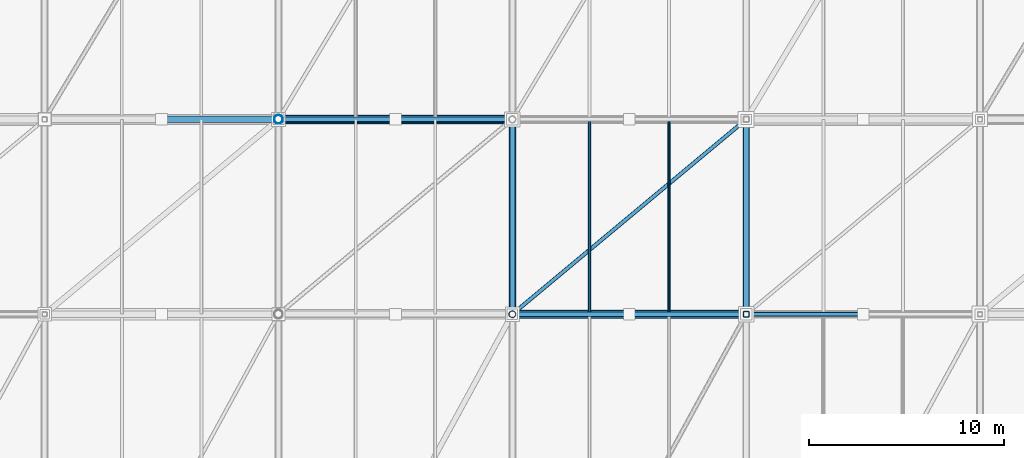
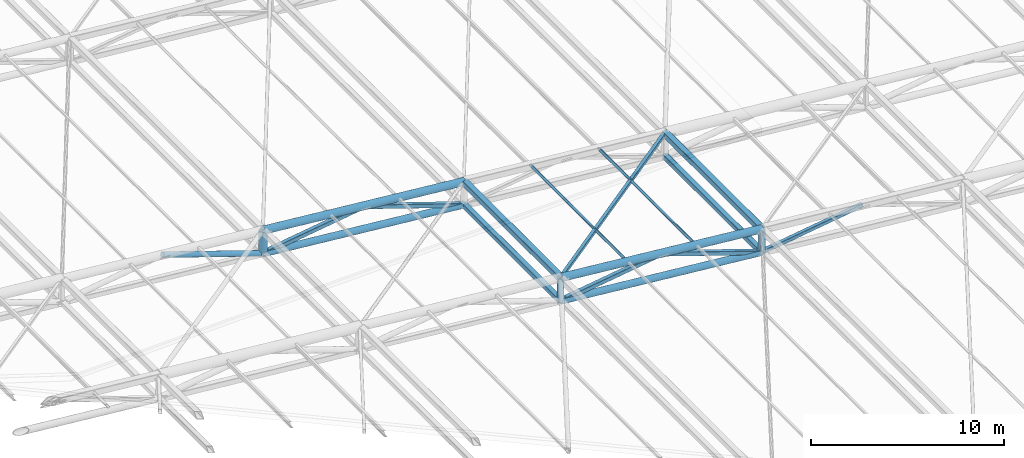
# One storey, part 15 of 44: 20 members.
"""IFC4 building model written with IfcOpenShell, lengths in metres."""

import ifcopenshell
import ifcopenshell.guid

model = None  # the IFC model being written
_history = None  # IfcOwnerHistory: only IFC2X3 demands one
_inside = {}  # id of a spatial element -> (the spatial element, [elements in it])
_under = {}  # id of a project, library or spatial element -> (it, [spatial elements below it])
_declared = {}  # id of a project -> (the project, [libraries it declares])
_typed = {}  # id of a type object -> (the type object, [elements of that type])
_made_of = {}  # id of a material, layer set ... -> (it, [elements and type objects made of it])


def new_model(schema):
    """Start an empty IFC model of exactly this schema.

    Asked for "IFC4X3", IfcOpenShell would pick the latest addendum, in which some entities
    have other attributes; the version numbers below select the first issue.
    IFC2X3 requires an IfcOwnerHistory on every rooted entity: one is made here for all.
    """
    global model, _history
    if schema == "IFC4X3":
        model = ifcopenshell.file(schema_version=(4, 3, 0, 0))
    else:
        model = ifcopenshell.file(schema=schema)
    _inside.clear()
    _under.clear()
    _declared.clear()
    _typed.clear()
    _made_of.clear()
    _history = None
    if model.schema == "IFC2X3":
        org = make("IfcOrganization", Name="unknown")
        user = make(
            "IfcPersonAndOrganization",
            ThePerson=make("IfcPerson", FamilyName="unknown"),
            TheOrganization=org,
        )
        app = make(
            "IfcApplication",
            ApplicationDeveloper=org,
            Version="unknown",
            ApplicationFullName="unknown",
            ApplicationIdentifier="unknown",
        )
        _history = make(
            "IfcOwnerHistory",
            OwningUser=user,
            OwningApplication=app,
            ChangeAction="ADDED",
            CreationDate=0,
        )
    return model


def make(cls, **values):
    """One entity of the class cls with the attributes given. An attribute that is None is left unset."""
    return model.create_entity(
        cls, **{name: value for name, value in values.items() if value is not None}
    )


def rooted(cls, **values):
    """An entity with a GlobalId (a new one), such as an element, a storey or a relation."""
    return make(cls, GlobalId=ifcopenshell.guid.new(), OwnerHistory=_history, **values)


def si_unit(unit_type, name, prefix=None):
    """IfcSIUnit, for example si_unit("LENGTHUNIT", "METRE", prefix="MILLI")."""
    return make("IfcSIUnit", UnitType=unit_type, Prefix=prefix, Name=name)


def assignment(units):
    """IfcUnitAssignment: the units of a project."""
    return None if units is None else make("IfcUnitAssignment", Units=units)


def point(xyz):
    """IfcCartesianPoint."""
    return None if xyz is None else make("IfcCartesianPoint", Coordinates=xyz)


def direction(xyz):
    """IfcDirection."""
    return None if xyz is None else make("IfcDirection", DirectionRatios=xyz)


def frame(location, z_axis=None, x_axis=None):
    """IfcAxis2Placement3D, a coordinate frame: its origin and axes. An axis left out is left unset."""
    return make(
        "IfcAxis2Placement3D",
        Location=point(location),
        Axis=direction(z_axis),
        RefDirection=direction(x_axis),
    )


def frame_2d(location, x_axis=None):
    """IfcAxis2Placement2D, a coordinate frame in the plane: its origin and x axis."""
    return make(
        "IfcAxis2Placement2D", Location=point(location), RefDirection=direction(x_axis)
    )


def origin():
    """The frame at (0, 0, 0) with its axes left unset."""
    return frame((0.0, 0.0, 0.0))


def origin_2d():
    """The frame at (0, 0) in the plane with its x axis left unset."""
    return frame_2d((0.0, 0.0))


def place(relative_to, where):
    """IfcLocalPlacement: puts the frame where relative to a parent placement (None: the world)."""
    return make(
        "IfcLocalPlacement", PlacementRelTo=relative_to, RelativePlacement=where
    )


def context(
    kind, dimensions, precision=None, world=None, true_north=None, identifier=None
):
    """IfcGeometricRepresentationContext, for example the 3D "Model" context."""
    return make(
        "IfcGeometricRepresentationContext",
        ContextIdentifier=identifier,
        ContextType=kind,
        CoordinateSpaceDimension=dimensions,
        Precision=precision,
        WorldCoordinateSystem=world,
        TrueNorth=true_north,
    )


def subcontext(parent, identifier, kind, view, scale=None):
    """IfcGeometricRepresentationSubContext, for example "Body" below "Model"."""
    return make(
        "IfcGeometricRepresentationSubContext",
        ContextIdentifier=identifier,
        ContextType=kind,
        ParentContext=parent,
        TargetScale=scale,
        TargetView=view,
    )


def project(units=None, contexts=None):
    """IfcProject with its units and contexts."""
    return rooted(
        "IfcProject",
        Name="project",
        RepresentationContexts=contexts,
        UnitsInContext=assignment(units),
    )


def spatial(cls, under=None, at=None, **own):
    """A site, building, storey or space (cls), placed at a placement, below another one or the project."""
    s = rooted(cls, ObjectPlacement=at, **own)
    if under is not None:
        _under.setdefault(under.id(), (under, []))[1].append(s)
    return s


def profile(cls, at=None, kind="AREA", **sizes):
    """A parametric profile (cls). Its sizes go by their IFC names, for example OverallWidth=200.0."""
    return make(cls, ProfileType=kind, Position=at, **sizes)


def hollow_rectangle(**sizes):
    """IfcRectangleHollowProfileDef."""
    return profile("IfcRectangleHollowProfileDef", **sizes)


def hollow_circle(**sizes):
    """IfcCircleHollowProfileDef."""
    return profile("IfcCircleHollowProfileDef", **sizes)


def extrude(swept, where, along, depth):
    """IfcExtrudedAreaSolid: the profile swept, set in the frame where, extruded along a direction by depth."""
    return make(
        "IfcExtrudedAreaSolid",
        SweptArea=swept,
        Position=where,
        ExtrudedDirection=direction(along),
        Depth=depth,
    )


def shape(context_of_items, identifier, shape_type, items):
    """IfcShapeRepresentation: the items that make up one representation, for example the "Body"."""
    return make(
        "IfcShapeRepresentation",
        ContextOfItems=context_of_items,
        RepresentationIdentifier=identifier,
        RepresentationType=shape_type,
        Items=items,
    )


def material(Name=None, Category=None):
    """IfcMaterial."""
    return make("IfcMaterial", Name=Name, Category=Category)


def material_profile(
    of_material, cross_section, Name=None, Category=None, Priority=None
):
    """IfcMaterialProfile: a cross section and its material."""
    return make(
        "IfcMaterialProfile",
        Name=Name,
        Material=of_material,
        Profile=cross_section,
        Priority=Priority,
        Category=Category,
    )


def profile_set(profiles, Name=None, composite=None):
    """IfcMaterialProfileSet."""
    return make(
        "IfcMaterialProfileSet",
        Name=Name,
        MaterialProfiles=profiles,
        CompositeProfile=composite,
    )


def made_of(thing, what):
    """Note that an element or type object is made of a material, layer set ...; save() writes the relation."""
    if what is not None:
        _made_of.setdefault(what.id(), (what, []))[1].append(thing)
    return thing


def type_object(cls, material=None, **own):
    """A type object (cls), such as IfcWallType, which elements share."""
    return made_of(rooted(cls, **own), material)


def element(
    cls,
    number,
    at=None,
    inside=None,
    cuts=None,
    type_object=None,
    material=None,
    context=None,
    identifier="Body",
    shape_type=None,
    held_by="IfcProductDefinitionShape",
    body=None,
    shapes=None,
    **own,
):
    """One element of the class cls, such as IfcWall. Its Tag is "e" and its number.

    at: its placement. inside: the storey or other place that contains it. cuts: it is an
    opening in that element (IfcRelVoidsElement). A single representation is given by context,
    identifier, shape_type and body (its items); several are given by shapes. held_by: the class
    of the entity that holds the representations. save() writes the other relations.
    """
    e = rooted(cls, Tag="e%d" % number, ObjectPlacement=at, **own)
    if body is not None:
        shapes = [shape(context, identifier, shape_type, body)]
    if shapes is not None:
        e.Representation = make(held_by, Representations=shapes)
    if inside is not None:
        _inside.setdefault(inside.id(), (inside, []))[1].append(e)
    if cuts is not None:
        rooted(
            "IfcRelVoidsElement", RelatingBuildingElement=cuts, RelatedOpeningElement=e
        )
    if type_object is not None:
        _typed.setdefault(type_object.id(), (type_object, []))[1].append(e)
    return made_of(e, material)


def aggregate(whole, parts):
    """IfcRelAggregates: a whole, such as a stair, and the parts it consists of."""
    return rooted("IfcRelAggregates", RelatingObject=whole, RelatedObjects=parts)


def save(model, path):
    """Write the relations noted so far, then the file.

    IfcRelAggregates (storeys below a building ...), IfcRelContainedInSpatialStructure (elements
    in a storey), IfcRelDefinesByType, IfcRelAssociatesMaterial and IfcRelDeclares: one each for
    every whole, place, type object, material and project.
    """
    for whole, parts in _under.values():
        aggregate(whole, parts)
    for where, things in _inside.values():
        rooted(
            "IfcRelContainedInSpatialStructure",
            RelatedElements=things,
            RelatingStructure=where,
        )
    for kind, things in _typed.values():
        rooted("IfcRelDefinesByType", RelatedObjects=things, RelatingType=kind)
    for what, things in _made_of.values():
        rooted("IfcRelAssociatesMaterial", RelatedObjects=things, RelatingMaterial=what)
    for by, libraries in _declared.values():
        rooted("IfcRelDeclares", RelatingContext=by, RelatedDefinitions=libraries)
    model.write(path)


model = new_model("IFC4")

# Units and contexts
model_context = context("Model", 3, precision=1e-05, world=origin(), true_north=direction((0.0, 1.0)))
body_context = subcontext(model_context, "Body", "Model", "MODEL_VIEW")
ifc_project = project(units=[si_unit("LENGTHUNIT", "METRE"), si_unit("AREAUNIT", "SQUARE_METRE"), si_unit("VOLUMEUNIT", "CUBIC_METRE"), si_unit("PLANEANGLEUNIT", "RADIAN"), si_unit("MASSUNIT", "GRAM", prefix="KILO")], contexts=[model_context])

# Site, building, storey
site_placement = place(None, origin())
site = spatial("IfcSite", under=ifc_project, at=site_placement, CompositionType="ELEMENT")
building_placement = place(site_placement, origin())
building = spatial("IfcBuilding", under=site, at=building_placement, Name="Brinegate Civic Arena", CompositionType="ELEMENT")
storey_placement = place(building_placement, frame((0.0, 0.0, 29.39990234375)))
storey = spatial("IfcBuildingStorey", under=building, at=storey_placement, Name="RF", CompositionType="ELEMENT", Elevation=29.39990234375)

# Members
ifc_material = material(Name="Steel S355", Category="steel")
ifc_material_profile_1 = material_profile(ifc_material, hollow_circle(Radius=0.083984375, WallThickness=0.008056640625, at=origin_2d()), Name="CHS168X8")
ifc_profile_set_1 = profile_set([ifc_material_profile_1], Name="Steel S355")
member_type_1 = type_object("IfcMemberType", Name="RF-PURLIN-CHS168", PredefinedType="PURLIN", material=ifc_profile_set_1)
for number, where, z_axis, x_axis, name in (
    (1, (99.9599609375, 42.0, 6.835205078125), (0.0, 1.0, 0.0), (-1.0, 0.0, 0.0), "Roof Purlin RFP-045"),
    (2, (104.0400390625, 42.0, 6.4521484375), (0.0, 1.0, 0.0), (-1.0, 0.0, 0.0), "Roof Purlin RFP-046"),
):
    element("IfcMember", number, at=place(storey_placement, frame(where, z_axis=z_axis, x_axis=x_axis)), inside=storey, type_object=member_type_1, Name=name, PredefinedType="PURLIN", context=body_context, shape_type="SweptSolid", body=[
        extrude(hollow_circle(Radius=0.083984375, WallThickness=0.008056640625, at=origin_2d()), origin(), (0.0, 0.0, 1.0), 10.0),
    ])
ifc_material_profile_2 = material_profile(ifc_material, hollow_circle(Radius=0.162109375, WallThickness=0.011962890625, at=origin_2d()), Name="CHS324X12")
ifc_profile_set_2 = profile_set([ifc_material_profile_2], Name="Steel S355")
member_type_2 = type_object("IfcMemberType", Name="SF-BRACE-CHS324", PredefinedType="BRACE", material=ifc_profile_set_2)
member_1_placement = place(storey_placement, frame((78.0, 52.0, 8.863037109375), z_axis=(0.948068139281, 0.0, -0.318067293635), x_axis=(0.0, 1.0, 0.0)))
element("IfcMember", 3, at=member_1_placement, inside=storey, type_object=member_type_2, Name="Space Frame Web Brace D2-4-3", PredefinedType="BRACE", context=body_context, shape_type="SweptSolid", body=[
    extrude(hollow_circle(Radius=0.162109375, WallThickness=0.011962890625, at=origin_2d()), origin(), (0.0, 0.0, 1.0), 6.32861328125),
])
ifc_material_profile_3 = material_profile(ifc_material, hollow_rectangle(XDim=0.199951171875, YDim=0.199951171875, WallThickness=0.010009765625, InnerFilletRadius=0.010009765625, OuterFilletRadius=0.02001953125, at=origin_2d()), Name="SHS200X10")
ifc_profile_set_3 = profile_set([ifc_material_profile_3], Name="Steel S355")
member_type_3 = type_object("IfcMemberType", Name="SF-BRACE-SHS200", PredefinedType="BRACE", material=ifc_profile_set_3)
member_2_placement = place(storey_placement, frame((96.0, 42.0, 7.175048828125), z_axis=(0.766236619907, 0.638530516589, -0.071834683116), x_axis=(-0.640184399664, 0.768221279597, 0.0)))
element("IfcMember", 4, at=member_2_placement, inside=storey, type_object=member_type_3, Name="Roof Plan Diagonal Brace PL-3-5", PredefinedType="BRACE", context=body_context, shape_type="SweptSolid", body=[
    extrude(hollow_rectangle(XDim=0.199951171875, YDim=0.199951171875, WallThickness=0.010009765625, InnerFilletRadius=0.010009765625, OuterFilletRadius=0.02001953125, at=origin_2d()), origin(), (0.0, 0.0, 1.0), 15.660888671875),
])
ifc_material_profile_4 = material_profile(ifc_material, hollow_rectangle(XDim=0.219970703125, YDim=0.219970703125, WallThickness=0.011962890625, InnerFilletRadius=0.011962890625, OuterFilletRadius=0.02392578125, at=origin_2d()), Name="SHS220X12")
ifc_profile_set_4 = profile_set([ifc_material_profile_4], Name="Steel S355")
member_type_4 = type_object("IfcMemberType", Name="SF-BRACE-SHS220", PredefinedType="BRACE", material=ifc_profile_set_4)
member_3_placement = place(storey_placement, frame((108.0, 42.0, 4.60009765625), z_axis=(0.989226142737, 0.0, 0.1463954867), x_axis=(0.0, 1.0, 0.0)))
element("IfcMember", 5, at=member_3_placement, inside=storey, type_object=member_type_4, Name="Space Frame Web Brace D1-3-6", PredefinedType="BRACE", context=body_context, shape_type="SweptSolid", body=[
    extrude(hollow_rectangle(XDim=0.219970703125, YDim=0.219970703125, WallThickness=0.011962890625, InnerFilletRadius=0.011962890625, OuterFilletRadius=0.02392578125, at=origin_2d()), origin(), (0.0, 0.0, 1.0), 6.0654296875),
])
ifc_material_profile_5 = material_profile(ifc_material, hollow_rectangle(XDim=0.25, YDim=0.25, WallThickness=0.011962890625, InnerFilletRadius=0.011962890625, OuterFilletRadius=0.02392578125, at=origin_2d()), Name="SHS250X12")
ifc_profile_set_5 = profile_set([ifc_material_profile_5], Name="Steel S355")
member_type_5 = type_object("IfcMemberType", Name="SF-BRACE-SHS250", PredefinedType="BRACE", material=ifc_profile_set_5)
member_4_placement = place(storey_placement, frame((96.0, 42.0, 5.72509765625), z_axis=(0.989226142737, 0.0, 0.1463954867), x_axis=(0.0, 1.0, 0.0)))
element("IfcMember", 6, at=member_4_placement, inside=storey, type_object=member_type_5, Name="Space Frame Web Brace D1-3-5", PredefinedType="BRACE", context=body_context, shape_type="SweptSolid", body=[
    extrude(hollow_rectangle(XDim=0.25, YDim=0.25, WallThickness=0.011962890625, InnerFilletRadius=0.011962890625, OuterFilletRadius=0.02392578125, at=origin_2d()), origin(), (0.0, 0.0, 1.0), 6.0654296875),
])
member_5_placement = place(storey_placement, frame((102.0, 42.0, 6.613037109375), z_axis=(0.948068139281, 0.0, -0.318067293635), x_axis=(0.0, 1.0, 0.0)))
element("IfcMember", 7, at=member_5_placement, inside=storey, type_object=member_type_5, Name="Space Frame Web Brace D2-3-5", PredefinedType="BRACE", context=body_context, shape_type="SweptSolid", body=[
    extrude(hollow_rectangle(XDim=0.25, YDim=0.25, WallThickness=0.011962890625, InnerFilletRadius=0.011962890625, OuterFilletRadius=0.02392578125, at=origin_2d()), origin(), (0.0, 0.0, 1.0), 6.32861328125),
])
member_6_placement = place(storey_placement, frame((84.0, 52.0, 6.85009765625), z_axis=(0.989226142737, 0.0, 0.1463954867), x_axis=(0.0, 1.0, 0.0)))
element("IfcMember", 8, at=member_6_placement, inside=storey, type_object=member_type_5, Name="Space Frame Web Brace D1-4-4", PredefinedType="BRACE", context=body_context, shape_type="SweptSolid", body=[
    extrude(hollow_rectangle(XDim=0.25, YDim=0.25, WallThickness=0.011962890625, InnerFilletRadius=0.011962890625, OuterFilletRadius=0.02392578125, at=origin_2d()), origin(), (0.0, 0.0, 1.0), 6.0654296875),
])
member_7_placement = place(storey_placement, frame((90.0, 52.0, 7.738037109375), z_axis=(0.948068139281, 0.0, -0.318067293635), x_axis=(0.0, 1.0, 0.0)))
element("IfcMember", 9, at=member_7_placement, inside=storey, type_object=member_type_5, Name="Space Frame Web Brace D2-4-4", PredefinedType="BRACE", context=body_context, shape_type="SweptSolid", body=[
    extrude(hollow_rectangle(XDim=0.25, YDim=0.25, WallThickness=0.011962890625, InnerFilletRadius=0.011962890625, OuterFilletRadius=0.02392578125, at=origin_2d()), origin(), (0.0, 0.0, 1.0), 6.32861328125),
])
ifc_material_profile_6 = material_profile(ifc_material, hollow_circle(Radius=0.202880859375, WallThickness=0.01611328125, at=origin_2d()), Name="CHS406X16")
ifc_profile_set_6 = profile_set([ifc_material_profile_6], Name="Steel S355")
member_type_6 = type_object("IfcMemberType", Name="SF-CHORD-CHS406", PredefinedType="CHORD", material=ifc_profile_set_6)
for number, where, z_axis, x_axis, name in (
    (10, (96.0, 42.0, 5.72509765625), (0.995634226059, 0.0, -0.093340708693), (0.0, 1.0, 0.0), "Space Frame Bottom Chord BX-3-5"),
    (11, (84.0, 52.0, 6.85009765625), (0.995634226059, 0.0, -0.093340708693), (0.0, 1.0, 0.0), "Space Frame Bottom Chord BX-4-4"),
):
    element("IfcMember", number, at=place(storey_placement, frame(where, z_axis=z_axis, x_axis=x_axis)), inside=storey, type_object=member_type_6, Name=name, PredefinedType="CHORD", context=body_context, shape_type="SweptSolid", body=[
        extrude(hollow_circle(Radius=0.202880859375, WallThickness=0.01611328125, at=origin_2d()), origin(), (0.0, 0.0, 1.0), 12.052734375),
    ])
ifc_material_profile_7 = material_profile(ifc_material, hollow_circle(Radius=0.228515625, WallThickness=0.01611328125, at=origin_2d()), Name="CHS457X16")
ifc_profile_set_7 = profile_set([ifc_material_profile_7], Name="Steel S355")
member_type_7 = type_object("IfcMemberType", Name="SF-CHORD-CHS457", PredefinedType="CHORD", material=ifc_profile_set_7)
for number, where, z_axis, x_axis, name in (
    (12, (96.0, 42.0, 7.175048828125), (0.995634226059, 0.0, -0.093340708693), (0.0, 1.0, 0.0), "Space Frame Top Chord TX-3-5"),
    (13, (84.0, 52.0, 8.300048828125), (0.995634226059, 0.0, -0.093340708693), (0.0, 1.0, 0.0), "Space Frame Top Chord TX-4-4"),
):
    element("IfcMember", number, at=place(storey_placement, frame(where, z_axis=z_axis, x_axis=x_axis)), inside=storey, type_object=member_type_7, Name=name, PredefinedType="CHORD", context=body_context, shape_type="SweptSolid", body=[
        extrude(hollow_circle(Radius=0.228515625, WallThickness=0.01611328125, at=origin_2d()), origin(), (0.0, 0.0, 1.0), 12.052734375),
    ])
ifc_material_profile_8 = material_profile(ifc_material, hollow_rectangle(XDim=0.300048828125, YDim=0.300048828125, WallThickness=0.01611328125, InnerFilletRadius=0.01611328125, OuterFilletRadius=0.031982421875, at=origin_2d()), Name="SHS300X16")
ifc_profile_set_8 = profile_set([ifc_material_profile_8], Name="Steel S355")
member_type_8 = type_object("IfcMemberType", Name="SF-CHORD-SHS300", PredefinedType="CHORD", material=ifc_profile_set_8)
for number, where, z_axis, x_axis, name in (
    (14, (96.0, 42.0, 5.72509765625), (0.0, 1.0, 0.0), (-1.0, 0.0, 0.0), "Space Frame Cross Bottom Chord BY-3-5"),
    (15, (108.0, 42.0, 4.60009765625), (0.0, 1.0, 0.0), (-1.0, 0.0, 0.0), "Space Frame Cross Bottom Chord BY-3-6"),
):
    element("IfcMember", number, at=place(storey_placement, frame(where, z_axis=z_axis, x_axis=x_axis)), inside=storey, type_object=member_type_8, Name=name, PredefinedType="CHORD", context=body_context, shape_type="SweptSolid", body=[
        extrude(hollow_rectangle(XDim=0.300048828125, YDim=0.300048828125, WallThickness=0.01611328125, InnerFilletRadius=0.01611328125, OuterFilletRadius=0.031982421875, at=origin_2d()), origin(), (0.0, 0.0, 1.0), 10.0),
    ])
ifc_material_profile_9 = material_profile(ifc_material, hollow_rectangle(XDim=0.35009765625, YDim=0.35009765625, WallThickness=0.01611328125, InnerFilletRadius=0.01611328125, OuterFilletRadius=0.031982421875, at=origin_2d()), Name="SHS350X16")
ifc_profile_set_9 = profile_set([ifc_material_profile_9], Name="Steel S355")
member_type_9 = type_object("IfcMemberType", Name="SF-CHORD-SHS350", PredefinedType="CHORD", material=ifc_profile_set_9)
for number, where, z_axis, x_axis, name in (
    (16, (96.0, 42.0, 7.175048828125), (0.0, 1.0, 0.0), (-1.0, 0.0, 0.0), "Space Frame Cross Top Chord TY-3-5"),
    (17, (108.0, 42.0, 6.050048828125), (0.0, 1.0, 0.0), (-1.0, 0.0, 0.0), "Space Frame Cross Top Chord TY-3-6"),
):
    element("IfcMember", number, at=place(storey_placement, frame(where, z_axis=z_axis, x_axis=x_axis)), inside=storey, type_object=member_type_9, Name=name, PredefinedType="CHORD", context=body_context, shape_type="SweptSolid", body=[
        extrude(hollow_rectangle(XDim=0.35009765625, YDim=0.35009765625, WallThickness=0.01611328125, InnerFilletRadius=0.01611328125, OuterFilletRadius=0.031982421875, at=origin_2d()), origin(), (0.0, 0.0, 1.0), 10.0),
    ])
ifc_material_profile_10 = material_profile(ifc_material, hollow_circle(Radius=0.177978515625, WallThickness=0.013916015625, at=origin_2d()), Name="CHS356X14")
ifc_profile_set_10 = profile_set([ifc_material_profile_10], Name="Steel S355")
member_type_10 = type_object("IfcMemberType", Name="SF-STRUT-CHS356", PredefinedType="STRUT", material=ifc_profile_set_10)
member_8_placement = place(storey_placement, frame((96.0, 42.0, 5.72509765625), z_axis=(0.0, 0.0, 1.0), x_axis=(1.0, 0.0, 0.0)))
element("IfcMember", 18, at=member_8_placement, inside=storey, type_object=member_type_10, Name="Space Frame Vertical Post V-3-5", PredefinedType="STRUT", context=body_context, shape_type="SweptSolid", body=[
    extrude(hollow_circle(Radius=0.177978515625, WallThickness=0.013916015625, at=origin_2d()), origin(), (0.0, 0.0, 1.0), 1.449951171875),
])
ifc_material_profile_11 = material_profile(ifc_material, hollow_circle(Radius=0.228515625, WallThickness=0.01611328125, at=origin_2d()), Name="CHS457X16")
ifc_profile_set_11 = profile_set([ifc_material_profile_11], Name="Steel S355")
member_type_11 = type_object("IfcMemberType", Name="SF-STRUT-CHS457", PredefinedType="STRUT", material=ifc_profile_set_11)
member_9_placement = place(storey_placement, frame((84.0, 52.0, 6.85009765625), z_axis=(0.0, 0.0, 1.0), x_axis=(1.0, 0.0, 0.0)))
element("IfcMember", 19, at=member_9_placement, inside=storey, type_object=member_type_11, Name="Space Frame Vertical Post V-4-4", PredefinedType="STRUT", context=body_context, shape_type="SweptSolid", body=[
    extrude(hollow_circle(Radius=0.228515625, WallThickness=0.01611328125, at=origin_2d()), origin(), (0.0, 0.0, 1.0), 1.449951171875),
])
ifc_material_profile_12 = material_profile(ifc_material, hollow_rectangle(XDim=0.300048828125, YDim=0.300048828125, WallThickness=0.01611328125, InnerFilletRadius=0.01611328125, OuterFilletRadius=0.031982421875, at=origin_2d()), Name="SHS300X16")
ifc_profile_set_12 = profile_set([ifc_material_profile_12], Name="Steel S355")
member_type_12 = type_object("IfcMemberType", Name="SF-STRUT-SHS300", PredefinedType="STRUT", material=ifc_profile_set_12)
member_10_placement = place(storey_placement, frame((108.0, 42.0, 4.60009765625), z_axis=(0.0, 0.0, 1.0), x_axis=(1.0, 0.0, 0.0)))
element("IfcMember", 20, at=member_10_placement, inside=storey, type_object=member_type_12, Name="Space Frame Vertical Post V-3-6", PredefinedType="STRUT", context=body_context, shape_type="SweptSolid", body=[
    extrude(hollow_rectangle(XDim=0.300048828125, YDim=0.300048828125, WallThickness=0.01611328125, InnerFilletRadius=0.01611328125, OuterFilletRadius=0.031982421875, at=origin_2d()), origin(), (0.0, 0.0, 1.0), 1.449951171875),
])

save(model, "model.ifc")
